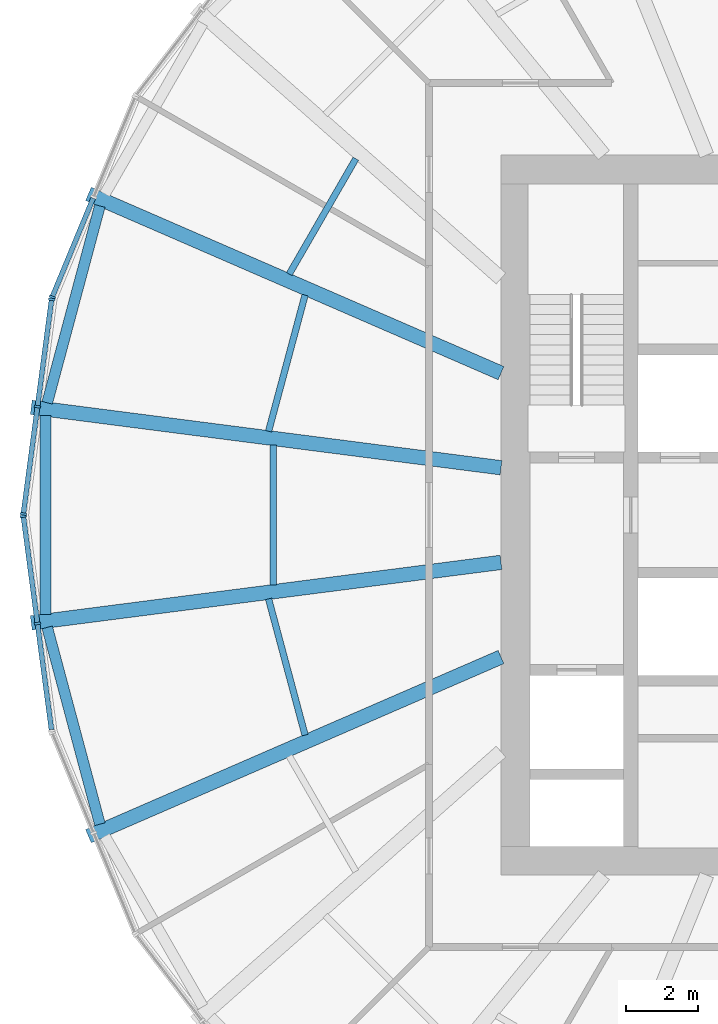
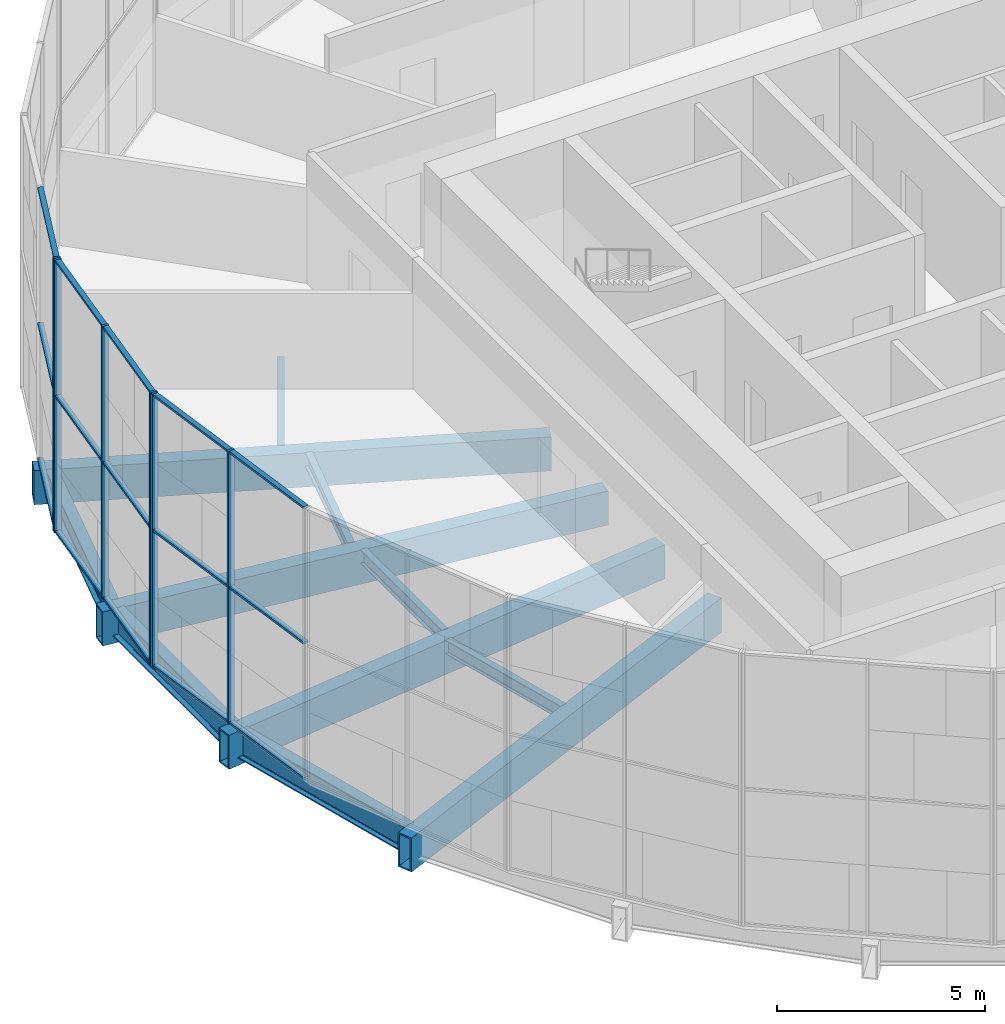
# One storey, part 3 of 18: 21 members, 11 beams, 3 elements without a shape of their own.
"""IFC4 building model written with IfcOpenShell, lengths in metres."""

from ifc_helpers import new_model, si_unit, direction, frame, origin, origin_2d, place, context, subcontext, project, spatial, rectangle, hollow_rectangle, i_section, extrude, material, material_profile, profile_set, type_object, element, aggregate, save


model = new_model("IFC4")

# Units and contexts
model_context = context("Model", 3, precision=1e-05, world=origin(), true_north=direction((0.0, 1.0)))
body_context = subcontext(model_context, "Body", "Model", "MODEL_VIEW")
ifc_project = project(units=[si_unit("LENGTHUNIT", "METRE"), si_unit("AREAUNIT", "SQUARE_METRE"), si_unit("VOLUMEUNIT", "CUBIC_METRE"), si_unit("PLANEANGLEUNIT", "RADIAN"), si_unit("MASSUNIT", "GRAM", prefix="KILO")], contexts=[model_context])

# Site, building, storey
site_placement = place(None, origin())
site = spatial("IfcSite", under=ifc_project, at=site_placement, CompositionType="ELEMENT")
building_placement = place(site_placement, origin())
building = spatial("IfcBuilding", under=site, at=building_placement, Name="Golbaran Civic Tower", CompositionType="ELEMENT")
storey_placement = place(building_placement, frame((0.0, 0.0, 45.0)))
storey = spatial("IfcBuildingStorey", under=building, at=storey_placement, Name="L10", CompositionType="ELEMENT", Elevation=45.0)

# Beams
ifc_material_1 = material(Name="Steel S355", Category="steel")
ifc_material_profile_1 = material_profile(ifc_material_1, i_section(OverallWidth=0.300048828125, OverallDepth=0.800048828125, WebThickness=0.017578125, FlangeThickness=0.032958984375, FilletRadius=0.030029296875, at=origin_2d()), Name="HEB 800")
ifc_profile_set_1 = profile_set([ifc_material_profile_1], Name="Steel S355")
beam_type_1 = type_object("IfcBeamType", Name="EDGE BEAM HEB 800", PredefinedType="BEAM", material=ifc_profile_set_1)
beam_1_placement = place(storey_placement, frame((-21.141357421875, 8.586669921875, -0.60009765625), z_axis=(-0.258508249079, -0.966009050246, 0.0), x_axis=(0.966009050246, -0.258508249079, 0.0)))
element("IfcBeam", 1, at=beam_1_placement, inside=storey, type_object=beam_type_1, Name="Edge beam 157.40 L10", PredefinedType="BEAM", context=body_context, shape_type="SweptSolid", body=[
    extrude(i_section(OverallWidth=0.300048828125, OverallDepth=0.800048828125, WebThickness=0.017578125, FlangeThickness=0.032958984375, FilletRadius=0.030029296875, at=origin_2d()), origin(), (0.0, 0.0, 1.0), 5.659912109375),
])
beam_2_placement = place(storey_placement, frame((-22.6513671875, 2.76220703125, -0.60009765625), z_axis=(0.0, -1.0, 0.0), x_axis=(1.0, 0.0, 0.0)))
element("IfcBeam", 2, at=beam_2_placement, inside=storey, type_object=beam_type_1, Name="Edge beam 172.60 L10", PredefinedType="BEAM", context=body_context, shape_type="SweptSolid", body=[
    extrude(i_section(OverallWidth=0.300048828125, OverallDepth=0.800048828125, WebThickness=0.017578125, FlangeThickness=0.032958984375, FilletRadius=0.030029296875, at=origin_2d()), origin(), (0.0, 0.0, 1.0), 5.5244140625),
])
beam_3_placement = place(storey_placement, frame((-22.6044921875, -3.119140625, -0.60009765625), z_axis=(0.258508249079, -0.966009050246, 0.0), x_axis=(0.966009050246, 0.258508249079, 0.0)))
element("IfcBeam", 3, at=beam_3_placement, inside=storey, type_object=beam_type_1, Name="Edge beam 187.40 L10", PredefinedType="BEAM", context=body_context, shape_type="SweptSolid", body=[
    extrude(i_section(OverallWidth=0.300048828125, OverallDepth=0.800048828125, WebThickness=0.017578125, FlangeThickness=0.032958984375, FilletRadius=0.030029296875, at=origin_2d()), origin(), (0.0, 0.0, 1.0), 5.659912109375),
])
ifc_material_profile_2 = material_profile(ifc_material_1, i_section(OverallWidth=0.179931640625, OverallDepth=0.39990234375, WebThickness=0.008544921875, FlangeThickness=0.013427734375, FilletRadius=0.02099609375, at=origin_2d()), Name="IPE 400")
ifc_profile_set_2 = profile_set([ifc_material_profile_2], Name="Steel S355")
beam_type_2 = type_object("IfcBeamType", Name="FLOOR INFILL BEAM IPE 400", PredefinedType="BEAM", material=ifc_profile_set_2)
beam_4_placement = place(storey_placement, frame((-14.03271484375, 9.89697265625, -0.39990234375), z_axis=(-0.500015802937, -0.866016279763, 0.0), x_axis=(0.866016279763, -0.500015802937, 0.0)))
element("IfcBeam", 4, at=beam_4_placement, inside=storey, type_object=beam_type_2, Name="Infill beam 150.00 L10", PredefinedType="BEAM", context=body_context, shape_type="SweptSolid", body=[
    extrude(i_section(OverallWidth=0.179931640625, OverallDepth=0.39990234375, WebThickness=0.008544921875, FlangeThickness=0.013427734375, FilletRadius=0.02099609375, at=origin_2d()), origin(), (0.0, 0.0, 1.0), 3.6982421875),
])
beam_5_placement = place(storey_placement, frame((-15.442138671875, 6.11083984375, -0.39990234375), z_axis=(-0.258837851836, -0.965920786844, 0.0), x_axis=(0.965920786844, -0.258837851836, 0.0)))
element("IfcBeam", 5, at=beam_5_placement, inside=storey, type_object=beam_type_2, Name="Infill beam 165.00 L10", PredefinedType="BEAM", context=body_context, shape_type="SweptSolid", body=[
    extrude(i_section(OverallWidth=0.179931640625, OverallDepth=0.39990234375, WebThickness=0.008544921875, FlangeThickness=0.013427734375, FilletRadius=0.02099609375, at=origin_2d()), origin(), (0.0, 0.0, 1.0), 3.917236328125),
])
beam_6_placement = place(storey_placement, frame((-16.32568359375, 1.947509765625, -0.39990234375), z_axis=(0.0, -1.0, 0.0), x_axis=(1.0, 0.0, 0.0)))
element("IfcBeam", 6, at=beam_6_placement, inside=storey, type_object=beam_type_2, Name="Infill beam 180.00 L10", PredefinedType="BEAM", context=body_context, shape_type="SweptSolid", body=[
    extrude(i_section(OverallWidth=0.179931640625, OverallDepth=0.39990234375, WebThickness=0.008544921875, FlangeThickness=0.013427734375, FilletRadius=0.02099609375, at=origin_2d()), origin(), (0.0, 0.0, 1.0), 3.89501953125),
])
beam_7_placement = place(storey_placement, frame((-16.4560546875, -2.3271484375, -0.39990234375), z_axis=(0.258837851836, -0.965920786844, 0.0), x_axis=(0.965920786844, 0.258837851836, 0.0)))
element("IfcBeam", 7, at=beam_7_placement, inside=storey, type_object=beam_type_2, Name="Infill beam 195.00 L10", PredefinedType="BEAM", context=body_context, shape_type="SweptSolid", body=[
    extrude(i_section(OverallWidth=0.179931640625, OverallDepth=0.39990234375, WebThickness=0.008544921875, FlangeThickness=0.013427734375, FilletRadius=0.02099609375, at=origin_2d()), origin(), (0.0, 0.0, 1.0), 3.917236328125),
])

# Curtain wall, member
ifc_material_2 = material(Name="Aluminium and glass", Category="aluminium")
curtain_wall_type = type_object("IfcCurtainWallType", Name="INNER SKIN CURTAIN WALL", PredefinedType="NOTDEFINED", material=ifc_material_2)
curtain_wall_1_placement = place(storey_placement, origin())
curtain_wall_1 = element("IfcCurtainWall", 8, at=curtain_wall_1_placement, inside=storey, type_object=curtain_wall_type, Name="Inner skin L10 facet 11 CW1", ObjectType="INNER SKIN", PredefinedType="USERDEFINED")
ifc_material_3 = material(Name="Aluminium", Category="aluminium")
ifc_material_profile_3 = material_profile(ifc_material_3, rectangle(XDim=0.179931640625, YDim=0.06494140625, at=origin_2d()), Name="INNER SKIN CURTAIN WALL MULLION")
ifc_profile_set_3 = profile_set([ifc_material_profile_3], Name="Aluminium")
member_type_1 = type_object("IfcMemberType", Name="INNER SKIN CURTAIN WALL MULLION", PredefinedType="MULLION", material=ifc_profile_set_3)
member_1_placement = place(storey_placement, frame((-22.465576171875, 6.052978515625, 0.0), z_axis=(0.0, 0.0, 1.0), x_axis=(0.923879532451, -0.38268343251, 0.0)))
member_1 = element("IfcMember", 9, at=member_1_placement, type_object=member_type_1, Name="CW1 mullion 3", PredefinedType="MULLION", context=body_context, shape_type="SweptSolid", body=[
    extrude(rectangle(XDim=0.179931640625, YDim=0.06494140625, at=origin_2d()), origin(), (0.0, 0.0, 1.0), 8.0),
])

# Curtain wall, members
curtain_wall_2_placement = place(storey_placement, origin())
curtain_wall_2 = element("IfcCurtainWall", 10, at=curtain_wall_2_placement, inside=storey, type_object=curtain_wall_type, Name="Inner skin L10 facet 12 CW1", ObjectType="INNER SKIN", PredefinedType="USERDEFINED")
member_2_placement = place(storey_placement, frame((-22.482421875, 5.99072265625, 0.0), z_axis=(0.0, 0.0, 1.0), x_axis=(0.991444861385, -0.130526192134, 0.0)))
member_2 = element("IfcMember", 11, at=member_2_placement, type_object=member_type_1, Name="CW1 mullion 1", PredefinedType="MULLION", context=body_context, shape_type="SweptSolid", body=[
    extrude(rectangle(XDim=0.179931640625, YDim=0.06494140625, at=origin_2d()), origin(), (0.0, 0.0, 1.0), 8.0),
])
member_3_placement = place(storey_placement, frame((-22.87451171875, 3.011474609375, 0.0), z_axis=(0.0, 0.0, 1.0), x_axis=(0.991444861385, -0.130526192134, 0.0)))
member_3 = element("IfcMember", 12, at=member_3_placement, type_object=member_type_1, Name="CW1 mullion 2", PredefinedType="MULLION", context=body_context, shape_type="SweptSolid", body=[
    extrude(rectangle(XDim=0.179931640625, YDim=0.06494140625, at=origin_2d()), origin(), (0.0, 0.0, 1.0), 8.0),
])
member_4_placement = place(storey_placement, frame((-23.266845703125, 0.0322265625, 0.0), z_axis=(0.0, 0.0, 1.0), x_axis=(0.991444861385, -0.130526192134, 0.0)))
member_4 = element("IfcMember", 13, at=member_4_placement, type_object=member_type_1, Name="CW1 mullion 3", PredefinedType="MULLION", context=body_context, shape_type="SweptSolid", body=[
    extrude(rectangle(XDim=0.179931640625, YDim=0.06494140625, at=origin_2d()), origin(), (0.0, 0.0, 1.0), 8.0),
])

curtain_wall_3_placement = place(storey_placement, origin())
curtain_wall_3 = element("IfcCurtainWall", 14, at=curtain_wall_3_placement, inside=storey, type_object=curtain_wall_type, Name="Inner skin L10 facet 13 CW1", ObjectType="INNER SKIN", PredefinedType="USERDEFINED")
member_5_placement = place(storey_placement, frame((-23.266845703125, -0.0322265625, 0.0), z_axis=(0.0, 0.0, 1.0), x_axis=(0.991444861385, 0.130526192134, 0.0)))
member_5 = element("IfcMember", 15, at=member_5_placement, type_object=member_type_1, Name="CW1 mullion 1", PredefinedType="MULLION", context=body_context, shape_type="SweptSolid", body=[
    extrude(rectangle(XDim=0.179931640625, YDim=0.06494140625, at=origin_2d()), origin(), (0.0, 0.0, 1.0), 8.0),
])
member_6_placement = place(storey_placement, frame((-22.87451171875, -3.011474609375, 0.0), z_axis=(0.0, 0.0, 1.0), x_axis=(0.991444861385, 0.130526192134, 0.0)))
member_6 = element("IfcMember", 16, at=member_6_placement, type_object=member_type_1, Name="CW1 mullion 2", PredefinedType="MULLION", context=body_context, shape_type="SweptSolid", body=[
    extrude(rectangle(XDim=0.179931640625, YDim=0.06494140625, at=origin_2d()), origin(), (0.0, 0.0, 1.0), 8.0),
])

# Member
ifc_material_profile_4 = material_profile(ifc_material_3, rectangle(XDim=0.139892578125, YDim=0.06494140625, at=origin_2d()), Name="INNER SKIN CURTAIN WALL TRANSOM")
ifc_profile_set_4 = profile_set([ifc_material_profile_4], Name="Aluminium")
member_type_2 = type_object("IfcMemberType", Name="INNER SKIN CURTAIN WALL TRANSOM", PredefinedType="USERDEFINED", material=ifc_profile_set_4)
member_7_placement = place(storey_placement, frame((-21.328125, 8.79931640625, 0.032470703125), z_axis=(-0.382645150923, -0.923895388275, 0.0), x_axis=(0.923895388275, -0.382645150923, 0.0)))
member_7 = element("IfcMember", 17, at=member_7_placement, type_object=member_type_2, Name="CW1 transom 2.1", ObjectType="TRANSOM", PredefinedType="USERDEFINED", context=body_context, shape_type="SweptSolid", body=[
    extrude(rectangle(XDim=0.139892578125, YDim=0.06494140625, at=origin_2d()), origin(), (0.0, 0.0, 1.0), 2.93994140625),
])

member_8_placement = place(storey_placement, frame((-21.328125, 8.79931640625, 4.0), z_axis=(-0.382645150923, -0.923895388275, 0.0), x_axis=(0.923895388275, -0.382645150923, 0.0)))
member_8 = element("IfcMember", 18, at=member_8_placement, type_object=member_type_2, Name="CW1 transom 2.2", ObjectType="TRANSOM", PredefinedType="USERDEFINED", context=body_context, shape_type="SweptSolid", body=[
    extrude(rectangle(XDim=0.139892578125, YDim=0.06494140625, at=origin_2d()), origin(), (0.0, 0.0, 1.0), 2.93994140625),
])

member_9_placement = place(storey_placement, frame((-21.328125, 8.79931640625, 7.967529296875), z_axis=(-0.382645150923, -0.923895388275, 0.0), x_axis=(0.923895388275, -0.382645150923, 0.0)))
member_9 = element("IfcMember", 19, at=member_9_placement, type_object=member_type_2, Name="CW1 transom 2.3", ObjectType="TRANSOM", PredefinedType="USERDEFINED", context=body_context, shape_type="SweptSolid", body=[
    extrude(rectangle(XDim=0.139892578125, YDim=0.06494140625, at=origin_2d()), origin(), (0.0, 0.0, 1.0), 2.93994140625),
])

aggregate(curtain_wall_1, [member_1, member_7, member_8, member_9])

member_10_placement = place(storey_placement, frame((-22.486572265625, 5.95849609375, 0.032470703125), z_axis=(-0.130542585571, -0.99144270301, 0.0), x_axis=(0.99144270301, -0.130542585571, 0.0)))
member_10 = element("IfcMember", 20, at=member_10_placement, type_object=member_type_2, Name="CW1 transom 1.1", ObjectType="TRANSOM", PredefinedType="USERDEFINED", context=body_context, shape_type="SweptSolid", body=[
    extrude(rectangle(XDim=0.139892578125, YDim=0.06494140625, at=origin_2d()), origin(), (0.0, 0.0, 1.0), 2.93994140625),
])

member_11_placement = place(storey_placement, frame((-22.486572265625, 5.95849609375, 4.0), z_axis=(-0.130542585571, -0.99144270301, 0.0), x_axis=(0.99144270301, -0.130542585571, 0.0)))
member_11 = element("IfcMember", 21, at=member_11_placement, type_object=member_type_2, Name="CW1 transom 1.2", ObjectType="TRANSOM", PredefinedType="USERDEFINED", context=body_context, shape_type="SweptSolid", body=[
    extrude(rectangle(XDim=0.139892578125, YDim=0.06494140625, at=origin_2d()), origin(), (0.0, 0.0, 1.0), 2.93994140625),
])

member_12_placement = place(storey_placement, frame((-22.486572265625, 5.95849609375, 7.967529296875), z_axis=(-0.130542585571, -0.99144270301, 0.0), x_axis=(0.99144270301, -0.130542585571, 0.0)))
member_12 = element("IfcMember", 22, at=member_12_placement, type_object=member_type_2, Name="CW1 transom 1.3", ObjectType="TRANSOM", PredefinedType="USERDEFINED", context=body_context, shape_type="SweptSolid", body=[
    extrude(rectangle(XDim=0.139892578125, YDim=0.06494140625, at=origin_2d()), origin(), (0.0, 0.0, 1.0), 2.93994140625),
])

member_13_placement = place(storey_placement, frame((-22.878662109375, 2.979248046875, 0.032470703125), z_axis=(-0.130542585571, -0.99144270301, 0.0), x_axis=(0.99144270301, -0.130542585571, 0.0)))
member_13 = element("IfcMember", 23, at=member_13_placement, type_object=member_type_2, Name="CW1 transom 2.1", ObjectType="TRANSOM", PredefinedType="USERDEFINED", context=body_context, shape_type="SweptSolid", body=[
    extrude(rectangle(XDim=0.139892578125, YDim=0.06494140625, at=origin_2d()), origin(), (0.0, 0.0, 1.0), 2.93994140625),
])

member_14_placement = place(storey_placement, frame((-22.878662109375, 2.979248046875, 4.0), z_axis=(-0.130542585571, -0.99144270301, 0.0), x_axis=(0.99144270301, -0.130542585571, 0.0)))
member_14 = element("IfcMember", 24, at=member_14_placement, type_object=member_type_2, Name="CW1 transom 2.2", ObjectType="TRANSOM", PredefinedType="USERDEFINED", context=body_context, shape_type="SweptSolid", body=[
    extrude(rectangle(XDim=0.139892578125, YDim=0.06494140625, at=origin_2d()), origin(), (0.0, 0.0, 1.0), 2.93994140625),
])

member_15_placement = place(storey_placement, frame((-22.878662109375, 2.979248046875, 7.967529296875), z_axis=(-0.130542585571, -0.99144270301, 0.0), x_axis=(0.99144270301, -0.130542585571, 0.0)))
member_15 = element("IfcMember", 25, at=member_15_placement, type_object=member_type_2, Name="CW1 transom 2.3", ObjectType="TRANSOM", PredefinedType="USERDEFINED", context=body_context, shape_type="SweptSolid", body=[
    extrude(rectangle(XDim=0.139892578125, YDim=0.06494140625, at=origin_2d()), origin(), (0.0, 0.0, 1.0), 2.93994140625),
])

aggregate(curtain_wall_2, [member_2, member_3, member_4, member_10, member_11, member_12, member_13, member_14, member_15])

member_16_placement = place(storey_placement, frame((-23.262451171875, -0.064453125, 0.032470703125), z_axis=(0.130542585571, -0.99144270301, 0.0), x_axis=(0.99144270301, 0.130542585571, 0.0)))
member_16 = element("IfcMember", 26, at=member_16_placement, type_object=member_type_2, Name="CW1 transom 1.1", ObjectType="TRANSOM", PredefinedType="USERDEFINED", context=body_context, shape_type="SweptSolid", body=[
    extrude(rectangle(XDim=0.139892578125, YDim=0.06494140625, at=origin_2d()), origin(), (0.0, 0.0, 1.0), 2.93994140625),
])

member_17_placement = place(storey_placement, frame((-23.262451171875, -0.064453125, 4.0), z_axis=(0.130542585571, -0.99144270301, 0.0), x_axis=(0.99144270301, 0.130542585571, 0.0)))
member_17 = element("IfcMember", 27, at=member_17_placement, type_object=member_type_2, Name="CW1 transom 1.2", ObjectType="TRANSOM", PredefinedType="USERDEFINED", context=body_context, shape_type="SweptSolid", body=[
    extrude(rectangle(XDim=0.139892578125, YDim=0.06494140625, at=origin_2d()), origin(), (0.0, 0.0, 1.0), 2.93994140625),
])

member_18_placement = place(storey_placement, frame((-23.262451171875, -0.064453125, 7.967529296875), z_axis=(0.130542585571, -0.99144270301, 0.0), x_axis=(0.99144270301, 0.130542585571, 0.0)))
member_18 = element("IfcMember", 28, at=member_18_placement, type_object=member_type_2, Name="CW1 transom 1.3", ObjectType="TRANSOM", PredefinedType="USERDEFINED", context=body_context, shape_type="SweptSolid", body=[
    extrude(rectangle(XDim=0.139892578125, YDim=0.06494140625, at=origin_2d()), origin(), (0.0, 0.0, 1.0), 2.93994140625),
])

member_19_placement = place(storey_placement, frame((-22.870361328125, -3.043701171875, 0.032470703125), z_axis=(0.130542585571, -0.99144270301, 0.0), x_axis=(0.99144270301, 0.130542585571, 0.0)))
member_19 = element("IfcMember", 29, at=member_19_placement, type_object=member_type_2, Name="CW1 transom 2.1", ObjectType="TRANSOM", PredefinedType="USERDEFINED", context=body_context, shape_type="SweptSolid", body=[
    extrude(rectangle(XDim=0.139892578125, YDim=0.06494140625, at=origin_2d()), origin(), (0.0, 0.0, 1.0), 2.93994140625),
])

member_20_placement = place(storey_placement, frame((-22.870361328125, -3.043701171875, 4.0), z_axis=(0.130542585571, -0.99144270301, 0.0), x_axis=(0.99144270301, 0.130542585571, 0.0)))
member_20 = element("IfcMember", 30, at=member_20_placement, type_object=member_type_2, Name="CW1 transom 2.2", ObjectType="TRANSOM", PredefinedType="USERDEFINED", context=body_context, shape_type="SweptSolid", body=[
    extrude(rectangle(XDim=0.139892578125, YDim=0.06494140625, at=origin_2d()), origin(), (0.0, 0.0, 1.0), 2.93994140625),
])

member_21_placement = place(storey_placement, frame((-22.870361328125, -3.043701171875, 7.967529296875), z_axis=(0.130542585571, -0.99144270301, 0.0), x_axis=(0.99144270301, 0.130542585571, 0.0)))
member_21 = element("IfcMember", 31, at=member_21_placement, type_object=member_type_2, Name="CW1 transom 2.3", ObjectType="TRANSOM", PredefinedType="USERDEFINED", context=body_context, shape_type="SweptSolid", body=[
    extrude(rectangle(XDim=0.139892578125, YDim=0.06494140625, at=origin_2d()), origin(), (0.0, 0.0, 1.0), 2.93994140625),
])

aggregate(curtain_wall_3, [member_5, member_6, member_16, member_17, member_18, member_19, member_20, member_21])

# Beams
ifc_material_profile_5 = material_profile(ifc_material_1, hollow_rectangle(XDim=0.39990234375, YDim=1.0, WallThickness=0.0400390625, at=origin_2d()), Name="BOX 1000x400x40")
ifc_profile_set_5 = profile_set([ifc_material_profile_5], Name="Steel S355")
beam_type_3 = type_object("IfcBeamType", Name="RADIAL FLOOR BEAM BOX 1000x400x40", PredefinedType="BEAM", material=ifc_profile_set_5)
beam_8_placement = place(storey_placement, frame((-10.0, 3.94287109375, -0.7099609375), z_axis=(-0.91719023967, 0.398449575549, 0.0), x_axis=(-0.398449575549, -0.91719023967, 0.0)))
element("IfcBeam", 32, at=beam_8_placement, inside=storey, type_object=beam_type_3, Name="Radial beam 157.40 L10", PredefinedType="BEAM", context=body_context, shape_type="SweptSolid", body=[
    extrude(hollow_rectangle(XDim=0.39990234375, YDim=1.0, WallThickness=0.0400390625, at=origin_2d()), origin(), (0.0, 0.0, 1.0), 12.494140625),
])
for number, where, z_axis, x_axis, name in (
    (33, (-10.0, 1.314208984375, -0.7099609375), (-0.991807549385, 0.127741085728, 0.0), (-0.127741085728, -0.991807549385, 0.0), "Radial beam 172.60 L10"),
    (34, (-10.0, -1.314208984375, -0.7099609375), (-0.991807549385, -0.127741085728, 0.0), (0.127741085728, -0.991807549385, 0.0), "Radial beam 187.40 L10"),
):
    element("IfcBeam", number, at=place(storey_placement, frame(where, z_axis=z_axis, x_axis=x_axis)), inside=storey, type_object=beam_type_3, Name=name, PredefinedType="BEAM", context=body_context, shape_type="SweptSolid", body=[
        extrude(hollow_rectangle(XDim=0.39990234375, YDim=1.0, WallThickness=0.0400390625, at=origin_2d()), origin(), (0.0, 0.0, 1.0), 13.15478515625),
    ])
beam_9_placement = place(storey_placement, frame((-10.0, -3.94287109375, -0.7099609375), z_axis=(-0.91719023967, -0.398449575549, 0.0), x_axis=(0.398449575549, -0.91719023967, 0.0)))
element("IfcBeam", 35, at=beam_9_placement, inside=storey, type_object=beam_type_3, Name="Radial beam 202.60 L10", PredefinedType="BEAM", context=body_context, shape_type="SweptSolid", body=[
    extrude(hollow_rectangle(XDim=0.39990234375, YDim=1.0, WallThickness=0.0400390625, at=origin_2d()), origin(), (0.0, 0.0, 1.0), 12.494140625),
])

save(model, "model.ifc")
